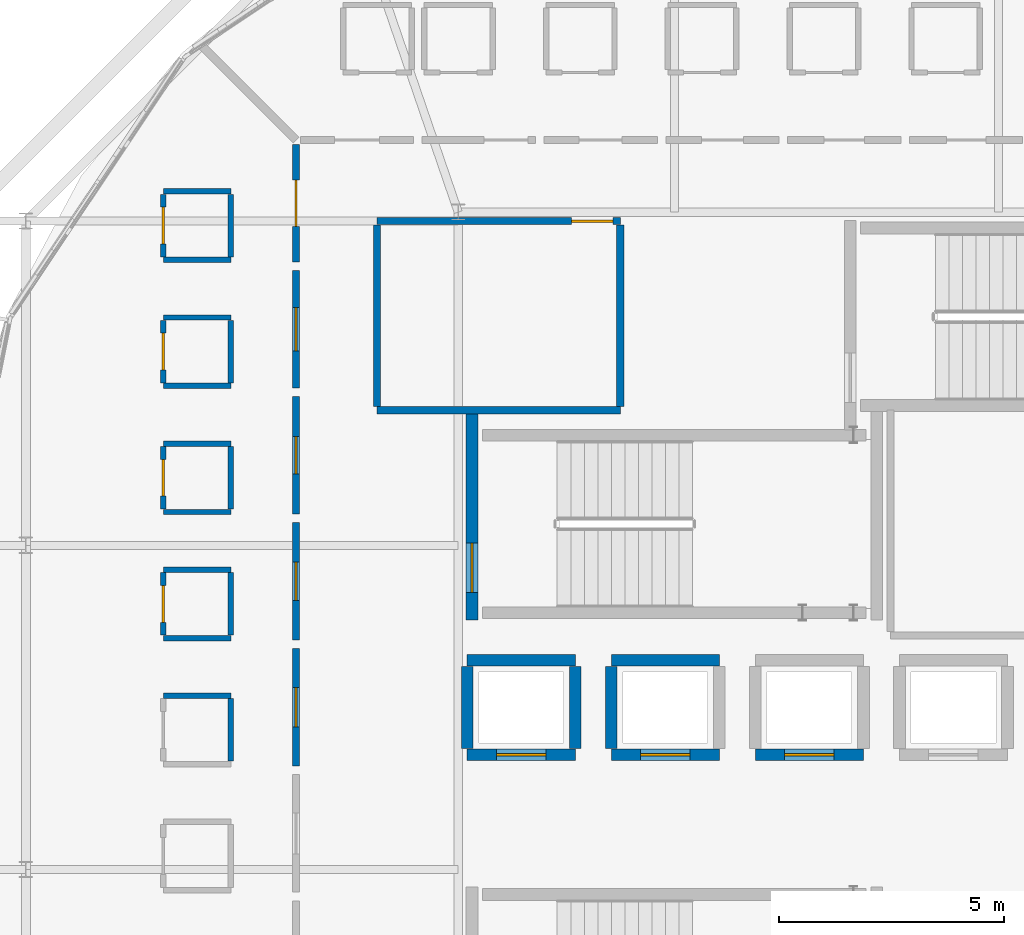
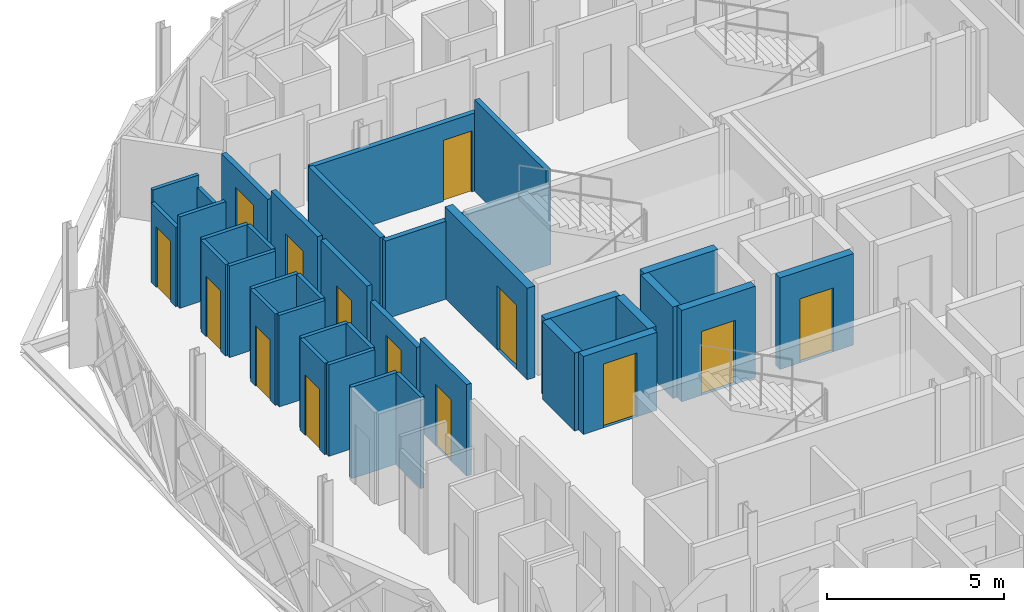
# One storey, part 15 of 24: 36 walls, 14 doors, 14 openings.
"""IFC4 building model written with IfcOpenShell, lengths in metres."""

from ifc_helpers import new_model, si_unit, direction, frame, frame_2d, origin, place, context, subcontext, project, spatial, rectangle, extrude, material, layer, layer_set, type_object, element, fill, save


model = new_model("IFC4")

# Units and contexts
model_context = context("Model", 3, precision=1e-05, world=origin(), true_north=direction((0.0, 1.0)))
body_context = subcontext(model_context, "Body", "Model", "MODEL_VIEW")
ifc_project = project(units=[si_unit("LENGTHUNIT", "METRE"), si_unit("AREAUNIT", "SQUARE_METRE"), si_unit("VOLUMEUNIT", "CUBIC_METRE"), si_unit("PLANEANGLEUNIT", "RADIAN"), si_unit("MASSUNIT", "GRAM", prefix="KILO")], contexts=[model_context])

# Site, building, storey
site_placement = place(None, origin())
site = spatial("IfcSite", under=ifc_project, at=site_placement, CompositionType="ELEMENT")
building_placement = place(site_placement, origin())
building = spatial("IfcBuilding", under=site, at=building_placement, Name="Zevrakil Square Congress Hotel", CompositionType="ELEMENT")
storey_placement = place(building_placement, frame((0.0, 0.0, 38.5)))
storey = spatial("IfcBuildingStorey", under=building, at=storey_placement, Name="L11", CompositionType="ELEMENT", Elevation=38.5)

# Wall
ifc_material_1 = material(Name="Gypsum Acoustic Stud Partition")
ifc_layer_1 = layer(ifc_material_1, 0.159912109375)
ifc_layer_set_1 = layer_set([ifc_layer_1], Name="Gypsum Acoustic Stud Partition")
wall_type_1 = type_object("IfcWallType", Name="WAL-CORR-160", PredefinedType="PARTITIONING", material=ifc_layer_set_1)
wall_1_placement = place(storey_placement, frame((135.0, 34.199951171875, 0.0), z_axis=(0.0, 0.0, 1.0), x_axis=(1.0, 0.0, 0.0)))
element("IfcWall", 1, at=wall_1_placement, inside=storey, type_object=wall_type_1, Name="L11 interior partition PW-L11-1785", PredefinedType="PARTITIONING", context=body_context, shape_type="SweptSolid", body=[
    extrude(rectangle(XDim=5.39990234375, YDim=0.159912109375, at=frame_2d((2.699951171875, 0.0))), origin(), (0.0, 0.0, 1.0), 2.68505859375),
])

# Wall, opening, door
wall_2_placement = place(storey_placement, frame((135.0, 38.39990234375, 0.0), z_axis=(0.0, 0.0, 1.0), x_axis=(1.0, 0.0, 0.0)))
wall_2 = element("IfcWall", 2, at=wall_2_placement, inside=storey, type_object=wall_type_1, Name="L11 interior partition PW-L11-1786", PredefinedType="PARTITIONING", context=body_context, shape_type="SweptSolid", body=[
    extrude(rectangle(XDim=5.39990234375, YDim=0.159912109375, at=frame_2d((2.699951171875, 0.0))), origin(), (0.0, 0.0, 1.0), 2.68505859375),
])
opening_1_placement = place(wall_2_placement, frame((4.320068359375, 0.0, 0.0)))
opening_1 = element("IfcOpeningElement", 3, at=opening_1_placement, cuts=wall_2, Name="Opening ID-07", PredefinedType="OPENING", context=body_context, shape_type="SweptSolid", body=[
    extrude(rectangle(XDim=0.919921875, YDim=2.10009765625, at=frame_2d((0.4599609375, 1.050048828125))), frame((0.0, 0.08984375, 0.0), z_axis=(0.0, -1.0, 0.0), x_axis=(1.0, 0.0, 0.0)), (0.0, 0.0, 1.0), 0.179931640625),
])
ifc_material_2 = material(Name="Accessible Restroom Door")
door_type_1 = type_object("IfcDoorType", Name="DOR-WC-092", OperationType="NOTDEFINED", PredefinedType="DOOR", material=ifc_material_2)
door_1_placement = place(opening_1_placement, origin())
door_1 = element("IfcDoor", 4, at=door_1_placement, inside=storey, type_object=door_type_1, Name="L11 interior door 694", OperationType="SINGLE_SWING_RIGHT", OverallHeight=2.10009765625, OverallWidth=0.919921875, PredefinedType="DOOR", context=body_context, shape_type="SweptSolid", body=[
    extrude(rectangle(XDim=0.919921875, YDim=2.10009765625, at=frame_2d((0.4599609375, 1.050048828125))), frame((0.0, 0.02490234375, 0.0), z_axis=(0.0, -1.0, 0.0), x_axis=(1.0, 0.0, 0.0)), (0.0, 0.0, 1.0), 0.050048828125),
])
fill(opening_1, door_1)

# Walls
wall_3_placement = place(storey_placement, frame((135.0, 34.284912109375, 0.0), z_axis=(0.0, 0.0, 1.0), x_axis=(0.0, 1.0, 0.0)))
element("IfcWall", 5, at=wall_3_placement, inside=storey, type_object=wall_type_1, Name="L11 interior partition PW-L11-1787", PredefinedType="PARTITIONING", context=body_context, shape_type="SweptSolid", body=[
    extrude(rectangle(XDim=4.030029296875, YDim=0.159912109375, at=frame_2d((2.01513671875, 0.0))), origin(), (0.0, 0.0, 1.0), 2.735107421875),
])
wall_4_placement = place(storey_placement, frame((140.39990234375, 34.284912109375, 0.0), z_axis=(0.0, 0.0, 1.0), x_axis=(0.0, 1.0, 0.0)))
element("IfcWall", 6, at=wall_4_placement, inside=storey, type_object=wall_type_1, Name="L11 interior partition PW-L11-1788", PredefinedType="PARTITIONING", context=body_context, shape_type="SweptSolid", body=[
    extrude(rectangle(XDim=4.030029296875, YDim=0.159912109375, at=frame_2d((2.01513671875, 0.0))), origin(), (0.0, 0.0, 1.0), 3.14990234375),
])

# Wall, opening, door
wall_5_placement = place(storey_placement, frame((133.199951171875, 37.4951171875, 0.0), z_axis=(0.0, 0.0, 1.0), x_axis=(0.0, 1.0, 0.0)))
wall_5 = element("IfcWall", 7, at=wall_5_placement, inside=storey, type_object=wall_type_1, Name="L11 interior partition PW-L11-1929", PredefinedType="PARTITIONING", context=body_context, shape_type="SweptSolid", body=[
    extrude(rectangle(XDim=2.60986328125, YDim=0.159912109375, at=frame_2d((1.304931640625, 0.0))), origin(), (0.0, 0.0, 1.0), 2.735107421875),
])
opening_2_placement = place(wall_5_placement, frame((0.7900390625, 0.0, 0.0)))
opening_2 = element("IfcOpeningElement", 8, at=opening_2_placement, cuts=wall_5, Name="Opening ID-G08", PredefinedType="OPENING", context=body_context, shape_type="SweptSolid", body=[
    extrude(rectangle(XDim=1.030029296875, YDim=2.050048828125, at=frame_2d((0.51513671875, 1.02490234375))), frame((0.0, 0.08984375, 0.0), z_axis=(0.0, -1.0, 0.0), x_axis=(1.0, 0.0, 0.0)), (0.0, 0.0, 1.0), 0.179931640625),
])
ifc_material_3 = material(Name="Acoustic Timber Fire Door", Category="wood")
door_type_2 = type_object("IfcDoorType", Name="DOR-INT-G08", OperationType="NOTDEFINED", PredefinedType="DOOR", material=ifc_material_3)
door_2_placement = place(opening_2_placement, origin())
door_2 = element("IfcDoor", 9, at=door_2_placement, inside=storey, type_object=door_type_2, Name="L11 interior door 748", OperationType="SINGLE_SWING_RIGHT", OverallHeight=2.050048828125, OverallWidth=1.030029296875, PredefinedType="DOOR", context=body_context, shape_type="SweptSolid", body=[
    extrude(rectangle(XDim=1.030029296875, YDim=2.050048828125, at=frame_2d((0.51513671875, 1.02490234375))), frame((0.0, 0.02490234375, 0.0), z_axis=(0.0, -1.0, 0.0), x_axis=(1.0, 0.0, 0.0)), (0.0, 0.0, 1.0), 0.050048828125),
])
fill(opening_2, door_2)

wall_6_placement = place(storey_placement, frame((133.199951171875, 34.695068359375, 0.0), z_axis=(0.0, 0.0, 1.0), x_axis=(0.0, 1.0, 0.0)))
wall_6 = element("IfcWall", 10, at=wall_6_placement, inside=storey, type_object=wall_type_1, Name="L11 interior partition PW-L11-1934", PredefinedType="PARTITIONING", context=body_context, shape_type="SweptSolid", body=[
    extrude(rectangle(XDim=2.60986328125, YDim=0.159912109375, at=frame_2d((1.304931640625, 0.0))), origin(), (0.0, 0.0, 1.0), 3.14990234375),
])
opening_3_placement = place(wall_6_placement, frame((0.819091796875, 0.0, 0.0)))
opening_3 = element("IfcOpeningElement", 11, at=opening_3_placement, cuts=wall_6, Name="Opening ID-H11", PredefinedType="OPENING", context=body_context, shape_type="SweptSolid", body=[
    extrude(rectangle(XDim=0.971923828125, YDim=2.159912109375, at=frame_2d((0.48583984375, 1.080078125))), frame((0.0, 0.08984375, 0.0), z_axis=(0.0, -1.0, 0.0), x_axis=(1.0, 0.0, 0.0)), (0.0, 0.0, 1.0), 0.179931640625),
])
ifc_material_4 = material(Name="Acoustic Timber Fire Door", Category="wood")
door_type_3 = type_object("IfcDoorType", Name="DOR-INT-H11", OperationType="NOTDEFINED", PredefinedType="DOOR", material=ifc_material_4)
door_3_placement = place(opening_3_placement, origin())
door_3 = element("IfcDoor", 12, at=door_3_placement, inside=storey, type_object=door_type_3, Name="L11 interior door 750", OperationType="SINGLE_SWING_RIGHT", OverallHeight=2.159912109375, OverallWidth=0.971923828125, PredefinedType="DOOR", context=body_context, shape_type="SweptSolid", body=[
    extrude(rectangle(XDim=0.971923828125, YDim=2.159912109375, at=frame_2d((0.48583984375, 1.080078125))), frame((0.0, 0.02490234375, 0.0), z_axis=(0.0, -1.0, 0.0), x_axis=(1.0, 0.0, 0.0)), (0.0, 0.0, 1.0), 0.050048828125),
])
fill(opening_3, door_3)

wall_7_placement = place(storey_placement, frame((133.199951171875, 31.89501953125, 0.0), z_axis=(0.0, 0.0, 1.0), x_axis=(0.0, 1.0, 0.0)))
wall_7 = element("IfcWall", 13, at=wall_7_placement, inside=storey, type_object=wall_type_1, Name="L11 interior partition PW-L11-1939", PredefinedType="PARTITIONING", context=body_context, shape_type="SweptSolid", body=[
    extrude(rectangle(XDim=2.60986328125, YDim=0.159912109375, at=frame_2d((1.304931640625, 0.0))), origin(), (0.0, 0.0, 1.0), 3.14990234375),
])
opening_4_placement = place(wall_7_placement, frame((0.889892578125, 0.0, 0.0)))
opening_4 = element("IfcOpeningElement", 14, at=opening_4_placement, cuts=wall_7, Name="Opening ID-G10", PredefinedType="OPENING", context=body_context, shape_type="SweptSolid", body=[
    extrude(rectangle(XDim=0.830078125, YDim=2.110107421875, at=frame_2d((0.4150390625, 1.05517578125))), frame((0.0, 0.08984375, 0.0), z_axis=(0.0, -1.0, 0.0), x_axis=(1.0, 0.0, 0.0)), (0.0, 0.0, 1.0), 0.179931640625),
])
ifc_material_5 = material(Name="Acoustic Timber Fire Door", Category="wood")
door_type_4 = type_object("IfcDoorType", Name="DOR-INT-G10", OperationType="NOTDEFINED", PredefinedType="DOOR", material=ifc_material_5)
door_4_placement = place(opening_4_placement, origin())
door_4 = element("IfcDoor", 15, at=door_4_placement, inside=storey, type_object=door_type_4, Name="L11 interior door 752", OperationType="SINGLE_SWING_RIGHT", OverallHeight=2.110107421875, OverallWidth=0.830078125, PredefinedType="DOOR", context=body_context, shape_type="SweptSolid", body=[
    extrude(rectangle(XDim=0.830078125, YDim=2.110107421875, at=frame_2d((0.4150390625, 1.05517578125))), frame((0.0, 0.02490234375, 0.0), z_axis=(0.0, -1.0, 0.0), x_axis=(1.0, 0.0, 0.0)), (0.0, 0.0, 1.0), 0.050048828125),
])
fill(opening_4, door_4)

wall_8_placement = place(storey_placement, frame((133.199951171875, 29.094970703125, 0.0), z_axis=(0.0, 0.0, 1.0), x_axis=(0.0, 1.0, 0.0)))
wall_8 = element("IfcWall", 16, at=wall_8_placement, inside=storey, type_object=wall_type_1, Name="L11 interior partition PW-L11-1944", PredefinedType="PARTITIONING", context=body_context, shape_type="SweptSolid", body=[
    extrude(rectangle(XDim=2.610107421875, YDim=0.159912109375, at=frame_2d((1.30517578125, 0.0))), origin(), (0.0, 0.0, 1.0), 2.735107421875),
])
opening_5_placement = place(wall_8_placement, frame((0.87744140625, 0.0, 0.0)))
opening_5 = element("IfcOpeningElement", 17, at=opening_5_placement, cuts=wall_8, Name="Opening ID-G11", PredefinedType="OPENING", context=body_context, shape_type="SweptSolid", body=[
    extrude(rectangle(XDim=0.85498046875, YDim=2.110107421875, at=frame_2d((0.427490234375, 1.05517578125))), frame((0.0, 0.08984375, 0.0), z_axis=(0.0, -1.0, 0.0), x_axis=(1.0, 0.0, 0.0)), (0.0, 0.0, 1.0), 0.179931640625),
])
ifc_material_6 = material(Name="Acoustic Timber Fire Door", Category="wood")
door_type_5 = type_object("IfcDoorType", Name="DOR-INT-G11", OperationType="NOTDEFINED", PredefinedType="DOOR", material=ifc_material_6)
door_5_placement = place(opening_5_placement, origin())
door_5 = element("IfcDoor", 18, at=door_5_placement, inside=storey, type_object=door_type_5, Name="L11 interior door 754", OperationType="SINGLE_SWING_RIGHT", OverallHeight=2.110107421875, OverallWidth=0.85498046875, PredefinedType="DOOR", context=body_context, shape_type="SweptSolid", body=[
    extrude(rectangle(XDim=0.85498046875, YDim=2.110107421875, at=frame_2d((0.427490234375, 1.05517578125))), frame((0.0, 0.02490234375, 0.0), z_axis=(0.0, -1.0, 0.0), x_axis=(1.0, 0.0, 0.0)), (0.0, 0.0, 1.0), 0.050048828125),
])
fill(opening_5, door_5)

wall_9_placement = place(storey_placement, frame((133.199951171875, 26.294921875, 0.0), z_axis=(0.0, 0.0, 1.0), x_axis=(0.0, 1.0, 0.0)))
wall_9 = element("IfcWall", 19, at=wall_9_placement, inside=storey, type_object=wall_type_1, Name="L11 interior partition PW-L11-1949", PredefinedType="PARTITIONING", context=body_context, shape_type="SweptSolid", body=[
    extrude(rectangle(XDim=2.610107421875, YDim=0.159912109375, at=frame_2d((1.30517578125, 0.0))), origin(), (0.0, 0.0, 1.0), 3.14990234375),
])
opening_6_placement = place(wall_9_placement, frame((0.864990234375, 0.0, 0.0)))
opening_6 = element("IfcOpeningElement", 20, at=opening_6_placement, cuts=wall_9, Name="Opening ID-G12", PredefinedType="OPENING", context=body_context, shape_type="SweptSolid", body=[
    extrude(rectangle(XDim=0.8798828125, YDim=2.110107421875, at=frame_2d((0.43994140625, 1.05517578125))), frame((0.0, 0.08984375, 0.0), z_axis=(0.0, -1.0, 0.0), x_axis=(1.0, 0.0, 0.0)), (0.0, 0.0, 1.0), 0.179931640625),
])
ifc_material_7 = material(Name="Acoustic Timber Fire Door", Category="wood")
door_type_6 = type_object("IfcDoorType", Name="DOR-INT-G12", OperationType="NOTDEFINED", PredefinedType="DOOR", material=ifc_material_7)
door_6_placement = place(opening_6_placement, origin())
door_6 = element("IfcDoor", 21, at=door_6_placement, inside=storey, type_object=door_type_6, Name="L11 interior door 756", OperationType="SINGLE_SWING_RIGHT", OverallHeight=2.110107421875, OverallWidth=0.8798828125, PredefinedType="DOOR", context=body_context, shape_type="SweptSolid", body=[
    extrude(rectangle(XDim=0.8798828125, YDim=2.110107421875, at=frame_2d((0.43994140625, 1.05517578125))), frame((0.0, 0.02490234375, 0.0), z_axis=(0.0, -1.0, 0.0), x_axis=(1.0, 0.0, 0.0)), (0.0, 0.0, 1.0), 0.050048828125),
])
fill(opening_6, door_6)

# Walls
ifc_material_8 = material(Name="Moisture-Resistant Gypsum Partition")
ifc_layer_2 = layer(ifc_material_8, 0.1201171875)
ifc_layer_set_2 = layer_set([ifc_layer_2], Name="Moisture-Resistant Gypsum Partition")
wall_type_2 = type_object("IfcWallType", Name="WAL-ENS-120", PredefinedType="PARTITIONING", material=ifc_layer_set_2)
for number, where, z_axis, x_axis, name in (
    (22, (130.25, 37.5400390625, 0.0), (0.0, 0.0, 1.0), (1.0, 0.0, 0.0), "L11 interior partition PW-L11-1930"),
    (23, (130.25, 39.06005859375, 0.0), (0.0, 0.0, 1.0), (1.0, 0.0, 0.0), "L11 interior partition PW-L11-1931"),
):
    element("IfcWall", number, at=place(storey_placement, frame(where, z_axis=z_axis, x_axis=x_axis)), inside=storey, type_object=wall_type_2, Name=name, PredefinedType="PARTITIONING", context=body_context, shape_type="SweptSolid", body=[
        extrude(rectangle(XDim=1.5, YDim=0.1201171875, at=frame_2d((0.75, 0.0))), origin(), (0.0, 0.0, 1.0), 3.14990234375),
    ])

# Wall, opening, door
wall_10_placement = place(storey_placement, frame((130.25, 37.60498046875, 0.0), z_axis=(0.0, 0.0, 1.0), x_axis=(0.0, 1.0, 0.0)))
wall_10 = element("IfcWall", 24, at=wall_10_placement, inside=storey, type_object=wall_type_2, Name="L11 interior partition PW-L11-1932", PredefinedType="PARTITIONING", context=body_context, shape_type="SweptSolid", body=[
    extrude(rectangle(XDim=1.39013671875, YDim=0.1201171875, at=frame_2d((0.695068359375, 0.0))), origin(), (0.0, 0.0, 1.0), 2.735107421875),
])
opening_7_placement = place(wall_10_placement, frame((0.284912109375, 0.0, 0.0)))
opening_7 = element("IfcOpeningElement", 25, at=opening_7_placement, cuts=wall_10, Name="Opening ID-11", PredefinedType="OPENING", context=body_context, shape_type="SweptSolid", body=[
    extrude(rectangle(XDim=0.820068359375, YDim=2.080078125, at=frame_2d((0.41015625, 1.0400390625))), frame((0.0, 0.070068359375, 0.0), z_axis=(0.0, -1.0, 0.0), x_axis=(1.0, 0.0, 0.0)), (0.0, 0.0, 1.0), 0.14013671875),
])
ifc_material_9 = material(Name="Acoustic Timber Door", Category="wood")
door_type_7 = type_object("IfcDoorType", Name="DOR-INT-V01", OperationType="NOTDEFINED", PredefinedType="DOOR", material=ifc_material_9)
door_7_placement = place(opening_7_placement, origin())
door_7 = element("IfcDoor", 26, at=door_7_placement, inside=storey, type_object=door_type_7, Name="L11 interior door 749", OperationType="SINGLE_SWING_LEFT", OverallHeight=2.080078125, OverallWidth=0.820068359375, PredefinedType="DOOR", context=body_context, shape_type="SweptSolid", body=[
    extrude(rectangle(XDim=0.820068359375, YDim=2.080078125, at=frame_2d((0.41015625, 1.0400390625))), frame((0.0, 0.02490234375, 0.0), z_axis=(0.0, -1.0, 0.0), x_axis=(1.0, 0.0, 0.0)), (0.0, 0.0, 1.0), 0.050048828125),
])
fill(opening_7, door_7)

# Walls
wall_11_placement = place(storey_placement, frame((131.75, 37.60498046875, 0.0), z_axis=(0.0, 0.0, 1.0), x_axis=(0.0, 1.0, 0.0)))
element("IfcWall", 27, at=wall_11_placement, inside=storey, type_object=wall_type_2, Name="L11 interior partition PW-L11-1933", PredefinedType="PARTITIONING", context=body_context, shape_type="SweptSolid", body=[
    extrude(rectangle(XDim=1.39013671875, YDim=0.1201171875, at=frame_2d((0.695068359375, 0.0))), origin(), (0.0, 0.0, 1.0), 2.735107421875),
])
for number, where, z_axis, x_axis, name in (
    (28, (130.25, 34.739990234375, 0.0), (0.0, 0.0, 1.0), (1.0, 0.0, 0.0), "L11 interior partition PW-L11-1935"),
    (29, (130.25, 36.260009765625, 0.0), (0.0, 0.0, 1.0), (1.0, 0.0, 0.0), "L11 interior partition PW-L11-1936"),
):
    element("IfcWall", number, at=place(storey_placement, frame(where, z_axis=z_axis, x_axis=x_axis)), inside=storey, type_object=wall_type_2, Name=name, PredefinedType="PARTITIONING", context=body_context, shape_type="SweptSolid", body=[
        extrude(rectangle(XDim=1.5, YDim=0.1201171875, at=frame_2d((0.75, 0.0))), origin(), (0.0, 0.0, 1.0), 3.14990234375),
    ])

# Wall, opening, door
wall_12_placement = place(storey_placement, frame((130.25, 34.804931640625, 0.0), z_axis=(0.0, 0.0, 1.0), x_axis=(0.0, 1.0, 0.0)))
wall_12 = element("IfcWall", 30, at=wall_12_placement, inside=storey, type_object=wall_type_2, Name="L11 interior partition PW-L11-1937", PredefinedType="PARTITIONING", context=body_context, shape_type="SweptSolid", body=[
    extrude(rectangle(XDim=1.39013671875, YDim=0.1201171875, at=frame_2d((0.695068359375, 0.0))), origin(), (0.0, 0.0, 1.0), 3.14990234375),
])
opening_8_placement = place(wall_12_placement, frame((0.284912109375, 0.0, 0.0)))
opening_8 = element("IfcOpeningElement", 31, at=opening_8_placement, cuts=wall_12, Name="Opening ID-11", PredefinedType="OPENING", context=body_context, shape_type="SweptSolid", body=[
    extrude(rectangle(XDim=0.820068359375, YDim=2.080078125, at=frame_2d((0.41015625, 1.0400390625))), frame((0.0, 0.070068359375, 0.0), z_axis=(0.0, -1.0, 0.0), x_axis=(1.0, 0.0, 0.0)), (0.0, 0.0, 1.0), 0.14013671875),
])
door_8_placement = place(opening_8_placement, origin())
door_8 = element("IfcDoor", 32, at=door_8_placement, inside=storey, type_object=door_type_7, Name="L11 interior door 751", OperationType="SINGLE_SWING_LEFT", OverallHeight=2.080078125, OverallWidth=0.820068359375, PredefinedType="DOOR", context=body_context, shape_type="SweptSolid", body=[
    extrude(rectangle(XDim=0.820068359375, YDim=2.080078125, at=frame_2d((0.41015625, 1.0400390625))), frame((0.0, 0.02490234375, 0.0), z_axis=(0.0, -1.0, 0.0), x_axis=(1.0, 0.0, 0.0)), (0.0, 0.0, 1.0), 0.050048828125),
])
fill(opening_8, door_8)

# Walls
wall_13_placement = place(storey_placement, frame((131.75, 34.804931640625, 0.0), z_axis=(0.0, 0.0, 1.0), x_axis=(0.0, 1.0, 0.0)))
element("IfcWall", 33, at=wall_13_placement, inside=storey, type_object=wall_type_2, Name="L11 interior partition PW-L11-1938", PredefinedType="PARTITIONING", context=body_context, shape_type="SweptSolid", body=[
    extrude(rectangle(XDim=1.39013671875, YDim=0.1201171875, at=frame_2d((0.695068359375, 0.0))), origin(), (0.0, 0.0, 1.0), 3.14990234375),
])
for number, where, z_axis, x_axis, name in (
    (34, (130.25, 31.93994140625, 0.0), (0.0, 0.0, 1.0), (1.0, 0.0, 0.0), "L11 interior partition PW-L11-1940"),
    (35, (130.25, 33.4599609375, 0.0), (0.0, 0.0, 1.0), (1.0, 0.0, 0.0), "L11 interior partition PW-L11-1941"),
):
    element("IfcWall", number, at=place(storey_placement, frame(where, z_axis=z_axis, x_axis=x_axis)), inside=storey, type_object=wall_type_2, Name=name, PredefinedType="PARTITIONING", context=body_context, shape_type="SweptSolid", body=[
        extrude(rectangle(XDim=1.5, YDim=0.1201171875, at=frame_2d((0.75, 0.0))), origin(), (0.0, 0.0, 1.0), 3.14990234375),
    ])

# Wall, opening, door
wall_14_placement = place(storey_placement, frame((130.25, 32.0048828125, 0.0), z_axis=(0.0, 0.0, 1.0), x_axis=(0.0, 1.0, 0.0)))
wall_14 = element("IfcWall", 36, at=wall_14_placement, inside=storey, type_object=wall_type_2, Name="L11 interior partition PW-L11-1942", PredefinedType="PARTITIONING", context=body_context, shape_type="SweptSolid", body=[
    extrude(rectangle(XDim=1.39013671875, YDim=0.1201171875, at=frame_2d((0.695068359375, 0.0))), origin(), (0.0, 0.0, 1.0), 3.14990234375),
])
opening_9_placement = place(wall_14_placement, frame((0.284912109375, 0.0, 0.0)))
opening_9 = element("IfcOpeningElement", 37, at=opening_9_placement, cuts=wall_14, Name="Opening ID-11", PredefinedType="OPENING", context=body_context, shape_type="SweptSolid", body=[
    extrude(rectangle(XDim=0.820068359375, YDim=2.080078125, at=frame_2d((0.41015625, 1.0400390625))), frame((0.0, 0.070068359375, 0.0), z_axis=(0.0, -1.0, 0.0), x_axis=(1.0, 0.0, 0.0)), (0.0, 0.0, 1.0), 0.14013671875),
])
door_9_placement = place(opening_9_placement, origin())
door_9 = element("IfcDoor", 38, at=door_9_placement, inside=storey, type_object=door_type_7, Name="L11 interior door 753", OperationType="SINGLE_SWING_LEFT", OverallHeight=2.080078125, OverallWidth=0.820068359375, PredefinedType="DOOR", context=body_context, shape_type="SweptSolid", body=[
    extrude(rectangle(XDim=0.820068359375, YDim=2.080078125, at=frame_2d((0.41015625, 1.0400390625))), frame((0.0, 0.02490234375, 0.0), z_axis=(0.0, -1.0, 0.0), x_axis=(1.0, 0.0, 0.0)), (0.0, 0.0, 1.0), 0.050048828125),
])
fill(opening_9, door_9)

# Walls
wall_15_placement = place(storey_placement, frame((131.75, 32.0048828125, 0.0), z_axis=(0.0, 0.0, 1.0), x_axis=(0.0, 1.0, 0.0)))
element("IfcWall", 39, at=wall_15_placement, inside=storey, type_object=wall_type_2, Name="L11 interior partition PW-L11-1943", PredefinedType="PARTITIONING", context=body_context, shape_type="SweptSolid", body=[
    extrude(rectangle(XDim=1.39013671875, YDim=0.1201171875, at=frame_2d((0.695068359375, 0.0))), origin(), (0.0, 0.0, 1.0), 3.14990234375),
])
for number, where, z_axis, x_axis, name in (
    (40, (130.25, 29.139892578125, 0.0), (0.0, 0.0, 1.0), (1.0, 0.0, 0.0), "L11 interior partition PW-L11-1945"),
    (41, (130.25, 30.659912109375, 0.0), (0.0, 0.0, 1.0), (1.0, 0.0, 0.0), "L11 interior partition PW-L11-1946"),
):
    element("IfcWall", number, at=place(storey_placement, frame(where, z_axis=z_axis, x_axis=x_axis)), inside=storey, type_object=wall_type_2, Name=name, PredefinedType="PARTITIONING", context=body_context, shape_type="SweptSolid", body=[
        extrude(rectangle(XDim=1.5, YDim=0.1201171875, at=frame_2d((0.75, 0.0))), origin(), (0.0, 0.0, 1.0), 3.14990234375),
    ])

# Wall, opening, door
wall_16_placement = place(storey_placement, frame((130.25, 29.205078125, 0.0), z_axis=(0.0, 0.0, 1.0), x_axis=(0.0, 1.0, 0.0)))
wall_16 = element("IfcWall", 42, at=wall_16_placement, inside=storey, type_object=wall_type_2, Name="L11 interior partition PW-L11-1947", PredefinedType="PARTITIONING", context=body_context, shape_type="SweptSolid", body=[
    extrude(rectangle(XDim=1.389892578125, YDim=0.1201171875, at=frame_2d((0.69482421875, 0.0))), origin(), (0.0, 0.0, 1.0), 3.14990234375),
])
opening_10_placement = place(wall_16_placement, frame((0.284912109375, 0.0, 0.0)))
opening_10 = element("IfcOpeningElement", 43, at=opening_10_placement, cuts=wall_16, Name="Opening ID-11", PredefinedType="OPENING", context=body_context, shape_type="SweptSolid", body=[
    extrude(rectangle(XDim=0.820068359375, YDim=2.080078125, at=frame_2d((0.41015625, 1.0400390625))), frame((0.0, 0.070068359375, 0.0), z_axis=(0.0, -1.0, 0.0), x_axis=(1.0, 0.0, 0.0)), (0.0, 0.0, 1.0), 0.14013671875),
])
door_10_placement = place(opening_10_placement, origin())
door_10 = element("IfcDoor", 44, at=door_10_placement, inside=storey, type_object=door_type_7, Name="L11 interior door 755", OperationType="SINGLE_SWING_LEFT", OverallHeight=2.080078125, OverallWidth=0.820068359375, PredefinedType="DOOR", context=body_context, shape_type="SweptSolid", body=[
    extrude(rectangle(XDim=0.820068359375, YDim=2.080078125, at=frame_2d((0.41015625, 1.0400390625))), frame((0.0, 0.02490234375, 0.0), z_axis=(0.0, -1.0, 0.0), x_axis=(1.0, 0.0, 0.0)), (0.0, 0.0, 1.0), 0.050048828125),
])
fill(opening_10, door_10)

# Walls
wall_17_placement = place(storey_placement, frame((131.75, 29.205078125, 0.0), z_axis=(0.0, 0.0, 1.0), x_axis=(0.0, 1.0, 0.0)))
element("IfcWall", 45, at=wall_17_placement, inside=storey, type_object=wall_type_2, Name="L11 interior partition PW-L11-1948", PredefinedType="PARTITIONING", context=body_context, shape_type="SweptSolid", body=[
    extrude(rectangle(XDim=1.389892578125, YDim=0.1201171875, at=frame_2d((0.69482421875, 0.0))), origin(), (0.0, 0.0, 1.0), 3.14990234375),
])
wall_18_placement = place(storey_placement, frame((130.25, 27.860107421875, 0.0), z_axis=(0.0, 0.0, 1.0), x_axis=(1.0, 0.0, 0.0)))
element("IfcWall", 46, at=wall_18_placement, inside=storey, type_object=wall_type_2, Name="L11 interior partition PW-L11-1951", PredefinedType="PARTITIONING", context=body_context, shape_type="SweptSolid", body=[
    extrude(rectangle(XDim=1.5, YDim=0.1201171875, at=frame_2d((0.75, 0.0))), origin(), (0.0, 0.0, 1.0), 3.14990234375),
])
wall_19_placement = place(storey_placement, frame((131.75, 26.405029296875, 0.0), z_axis=(0.0, 0.0, 1.0), x_axis=(0.0, 1.0, 0.0)))
element("IfcWall", 47, at=wall_19_placement, inside=storey, type_object=wall_type_2, Name="L11 interior partition PW-L11-1953", PredefinedType="PARTITIONING", context=body_context, shape_type="SweptSolid", body=[
    extrude(rectangle(XDim=1.389892578125, YDim=0.1201171875, at=frame_2d((0.69482421875, 0.0))), origin(), (0.0, 0.0, 1.0), 3.14990234375),
])

# Wall, opening, door
ifc_material_10 = material(Name="Concrete C40/50", Category="concrete")
ifc_layer_3 = layer(ifc_material_10, 0.260009765625)
ifc_layer_set_3 = layer_set([ifc_layer_3], Name="Concrete C40/50")
wall_type_3 = type_object("IfcWallType", Name="WAL-SHAFT-260", PredefinedType="SHEAR", material=ifc_layer_set_3)
wall_20_placement = place(storey_placement, frame((137.10498046875, 29.5400390625, 0.0), z_axis=(0.0, 0.0, 1.0), x_axis=(0.0, 1.0, 0.0)))
wall_20 = element("IfcWall", 48, at=wall_20_placement, inside=storey, type_object=wall_type_3, Name="L11 ST02 stair shaft W wall", PredefinedType="SHEAR", context=body_context, shape_type="SweptSolid", body=[
    extrude(rectangle(XDim=4.635009765625, YDim=0.260009765625, at=frame_2d((2.3173828125, 0.0))), origin(), (0.0, 0.0, 1.0), 3.14990234375),
])
opening_11_placement = place(wall_20_placement, frame((0.610107421875, 0.0, 0.0)))
opening_11 = element("IfcOpeningElement", 49, at=opening_11_placement, cuts=wall_20, Name="Opening SD-ST02", PredefinedType="OPENING", context=body_context, shape_type="SweptSolid", body=[
    extrude(rectangle(XDim=1.10009765625, YDim=2.199951171875, at=frame_2d((0.550048828125, 1.10009765625))), frame((0.0, 0.14013671875, 0.0), z_axis=(0.0, -1.0, 0.0), x_axis=(1.0, 0.0, 0.0)), (0.0, 0.0, 1.0), 0.280029296875),
])
ifc_material_11 = material(Name="Steel S355 Fire-Rated Door", Category="steel")
door_type_8 = type_object("IfcDoorType", Name="DOR-STAIR-FD90-110", OperationType="NOTDEFINED", PredefinedType="DOOR", material=ifc_material_11)
door_11_placement = place(opening_11_placement, origin())
door_11 = element("IfcDoor", 50, at=door_11_placement, inside=storey, type_object=door_type_8, Name="L11 ST02 protected stair fire door", OperationType="SINGLE_SWING_RIGHT", OverallHeight=2.199951171875, OverallWidth=1.10009765625, PredefinedType="DOOR", context=body_context, shape_type="SweptSolid", body=[
    extrude(rectangle(XDim=1.10009765625, YDim=2.199951171875, at=frame_2d((0.550048828125, 1.10009765625))), frame((0.0, 0.02490234375, 0.0), z_axis=(0.0, -1.0, 0.0), x_axis=(1.0, 0.0, 0.0)), (0.0, 0.0, 1.0), 0.050048828125),
])
fill(opening_11, door_11)

wall_21_placement = place(storey_placement, frame((137.0, 26.550048828125, 0.0), z_axis=(0.0, 0.0, 1.0), x_axis=(1.0, 0.0, 0.0)))
wall_21 = element("IfcWall", 51, at=wall_21_placement, inside=storey, type_object=wall_type_3, Name="L11 HL1 lift shaft wall", PredefinedType="SHEAR", context=body_context, shape_type="SweptSolid", body=[
    extrude(rectangle(XDim=2.39990234375, YDim=0.260009765625, at=frame_2d((1.199951171875, 0.0))), origin(), (0.0, 0.0, 1.0), 2.68505859375),
])
opening_12_placement = place(wall_21_placement, frame((0.64990234375, 0.0, 0.0)))
opening_12 = element("IfcOpeningElement", 52, at=opening_12_placement, cuts=wall_21, Name="Opening LD-HL1", PredefinedType="OPENING", context=body_context, shape_type="SweptSolid", body=[
    extrude(rectangle(XDim=1.10009765625, YDim=2.199951171875, at=frame_2d((0.550048828125, 1.10009765625))), frame((0.0, 0.14013671875, 0.0), z_axis=(0.0, -1.0, 0.0), x_axis=(1.0, 0.0, 0.0)), (0.0, 0.0, 1.0), 0.280029296875),
])
ifc_material_12 = material(Name="Stainless Steel Sliding Lift Landing Door", Category="steel")
door_type_9 = type_object("IfcDoorType", Name="DOR-LIFT-LD110", OperationType="NOTDEFINED", PredefinedType="DOOR", material=ifc_material_12)
door_12_placement = place(opening_12_placement, origin())
door_12 = element("IfcDoor", 53, at=door_12_placement, inside=storey, type_object=door_type_9, Name="L11 HL1 sliding lift landing door", OperationType="SLIDING_TO_LEFT", OverallHeight=2.199951171875, OverallWidth=1.10009765625, PredefinedType="DOOR", context=body_context, shape_type="SweptSolid", body=[
    extrude(rectangle(XDim=1.10009765625, YDim=2.199951171875, at=frame_2d((0.550048828125, 1.10009765625))), frame((0.0, 0.02490234375, 0.0), z_axis=(0.0, -1.0, 0.0), x_axis=(1.0, 0.0, 0.0)), (0.0, 0.0, 1.0), 0.050048828125),
])
fill(opening_12, door_12)

# Walls
wall_22_placement = place(storey_placement, frame((137.0, 28.64990234375, 0.0), z_axis=(0.0, 0.0, 1.0), x_axis=(1.0, 0.0, 0.0)))
element("IfcWall", 54, at=wall_22_placement, inside=storey, type_object=wall_type_3, Name="L11 HL1 lift shaft wall", PredefinedType="SHEAR", context=body_context, shape_type="SweptSolid", body=[
    extrude(rectangle(XDim=2.39990234375, YDim=0.260009765625, at=frame_2d((1.199951171875, 0.0))), origin(), (0.0, 0.0, 1.0), 2.68505859375),
])
for number, where, z_axis, x_axis, name in (
    (55, (137.0, 26.68994140625, 0.0), (0.0, 0.0, 1.0), (0.0, 1.0, 0.0), "L11 HL1 lift shaft wall"),
    (56, (139.39990234375, 26.68994140625, 0.0), (0.0, 0.0, 1.0), (0.0, 1.0, 0.0), "L11 HL1 lift shaft wall"),
):
    element("IfcWall", number, at=place(storey_placement, frame(where, z_axis=z_axis, x_axis=x_axis)), inside=storey, type_object=wall_type_3, Name=name, PredefinedType="SHEAR", context=body_context, shape_type="SweptSolid", body=[
        extrude(rectangle(XDim=1.820068359375, YDim=0.260009765625, at=frame_2d((0.91015625, 0.0))), origin(), (0.0, 0.0, 1.0), 2.68505859375),
    ])

# Wall, opening, door
wall_23_placement = place(storey_placement, frame((140.199951171875, 26.550048828125, 0.0), z_axis=(0.0, 0.0, 1.0), x_axis=(1.0, 0.0, 0.0)))
wall_23 = element("IfcWall", 57, at=wall_23_placement, inside=storey, type_object=wall_type_3, Name="L11 HL2 lift shaft wall", PredefinedType="SHEAR", context=body_context, shape_type="SweptSolid", body=[
    extrude(rectangle(XDim=2.400146484375, YDim=0.260009765625, at=frame_2d((1.2001953125, 0.0))), origin(), (0.0, 0.0, 1.0), 3.14990234375),
])
opening_13_placement = place(wall_23_placement, frame((0.64990234375, 0.0, 0.0)))
opening_13 = element("IfcOpeningElement", 58, at=opening_13_placement, cuts=wall_23, Name="Opening LD-HL2", PredefinedType="OPENING", context=body_context, shape_type="SweptSolid", body=[
    extrude(rectangle(XDim=1.10009765625, YDim=2.199951171875, at=frame_2d((0.550048828125, 1.10009765625))), frame((0.0, 0.14013671875, 0.0), z_axis=(0.0, -1.0, 0.0), x_axis=(1.0, 0.0, 0.0)), (0.0, 0.0, 1.0), 0.280029296875),
])
door_13_placement = place(opening_13_placement, origin())
door_13 = element("IfcDoor", 59, at=door_13_placement, inside=storey, type_object=door_type_9, Name="L11 HL2 sliding lift landing door", OperationType="SLIDING_TO_RIGHT", OverallHeight=2.199951171875, OverallWidth=1.10009765625, PredefinedType="DOOR", context=body_context, shape_type="SweptSolid", body=[
    extrude(rectangle(XDim=1.10009765625, YDim=2.199951171875, at=frame_2d((0.550048828125, 1.10009765625))), frame((0.0, 0.02490234375, 0.0), z_axis=(0.0, -1.0, 0.0), x_axis=(1.0, 0.0, 0.0)), (0.0, 0.0, 1.0), 0.050048828125),
])
fill(opening_13, door_13)

# Walls
wall_24_placement = place(storey_placement, frame((140.199951171875, 28.64990234375, 0.0), z_axis=(0.0, 0.0, 1.0), x_axis=(1.0, 0.0, 0.0)))
element("IfcWall", 60, at=wall_24_placement, inside=storey, type_object=wall_type_3, Name="L11 HL2 lift shaft wall", PredefinedType="SHEAR", context=body_context, shape_type="SweptSolid", body=[
    extrude(rectangle(XDim=2.400146484375, YDim=0.260009765625, at=frame_2d((1.2001953125, 0.0))), origin(), (0.0, 0.0, 1.0), 3.14990234375),
])
wall_25_placement = place(storey_placement, frame((140.199951171875, 26.68994140625, 0.0), z_axis=(0.0, 0.0, 1.0), x_axis=(0.0, 1.0, 0.0)))
element("IfcWall", 61, at=wall_25_placement, inside=storey, type_object=wall_type_3, Name="L11 HL2 lift shaft wall", PredefinedType="SHEAR", context=body_context, shape_type="SweptSolid", body=[
    extrude(rectangle(XDim=1.820068359375, YDim=0.260009765625, at=frame_2d((0.91015625, 0.0))), origin(), (0.0, 0.0, 1.0), 3.14990234375),
])

# Wall, opening, door
wall_26_placement = place(storey_placement, frame((143.39990234375, 26.550048828125, 0.0), z_axis=(0.0, 0.0, 1.0), x_axis=(1.0, 0.0, 0.0)))
wall_26 = element("IfcWall", 62, at=wall_26_placement, inside=storey, type_object=wall_type_3, Name="L11 HL3 lift shaft wall", PredefinedType="SHEAR", context=body_context, shape_type="SweptSolid", body=[
    extrude(rectangle(XDim=2.400146484375, YDim=0.260009765625, at=frame_2d((1.2001953125, 0.0))), origin(), (0.0, 0.0, 1.0), 3.14990234375),
])
opening_14_placement = place(wall_26_placement, frame((0.64990234375, 0.0, 0.0)))
opening_14 = element("IfcOpeningElement", 63, at=opening_14_placement, cuts=wall_26, Name="Opening LD-HL3", PredefinedType="OPENING", context=body_context, shape_type="SweptSolid", body=[
    extrude(rectangle(XDim=1.10009765625, YDim=2.199951171875, at=frame_2d((0.550048828125, 1.10009765625))), frame((0.0, 0.14013671875, 0.0), z_axis=(0.0, -1.0, 0.0), x_axis=(1.0, 0.0, 0.0)), (0.0, 0.0, 1.0), 0.280029296875),
])
door_14_placement = place(opening_14_placement, origin())
door_14 = element("IfcDoor", 64, at=door_14_placement, inside=storey, type_object=door_type_9, Name="L11 HL3 sliding lift landing door", OperationType="SLIDING_TO_LEFT", OverallHeight=2.199951171875, OverallWidth=1.10009765625, PredefinedType="DOOR", context=body_context, shape_type="SweptSolid", body=[
    extrude(rectangle(XDim=1.10009765625, YDim=2.199951171875, at=frame_2d((0.550048828125, 1.10009765625))), frame((0.0, 0.02490234375, 0.0), z_axis=(0.0, -1.0, 0.0), x_axis=(1.0, 0.0, 0.0)), (0.0, 0.0, 1.0), 0.050048828125),
])
fill(opening_14, door_14)

save(model, "model.ifc")
